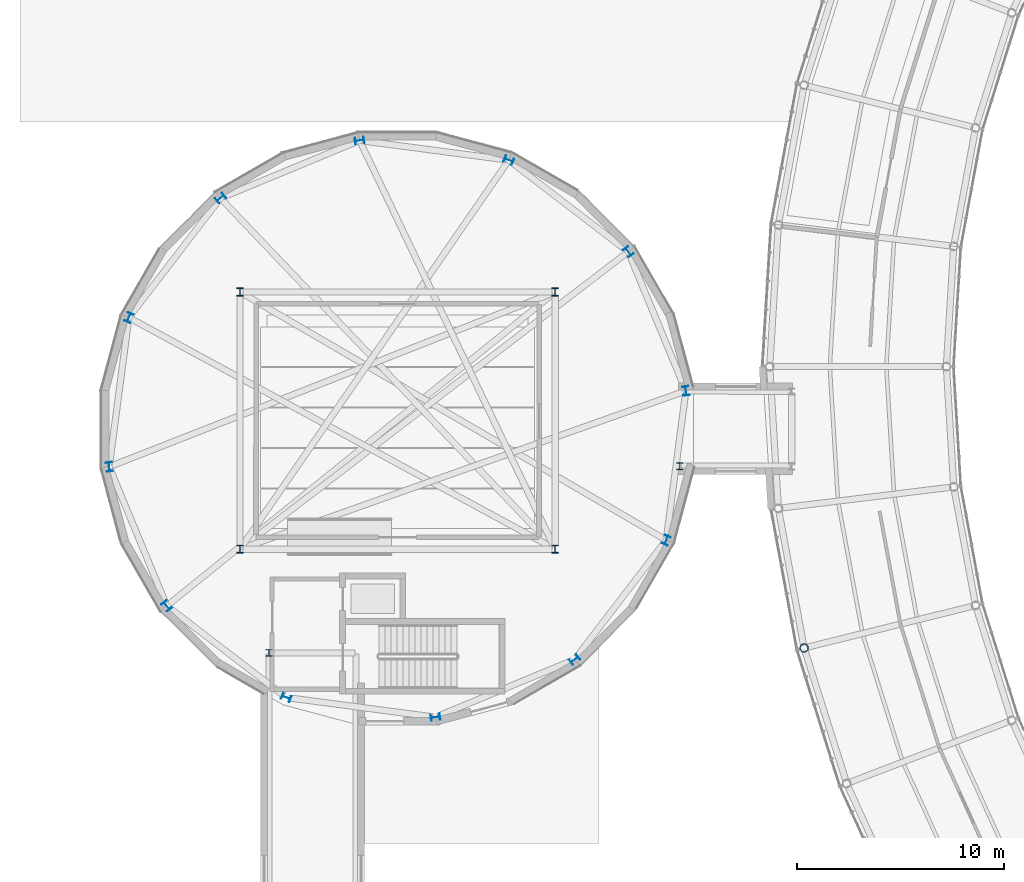
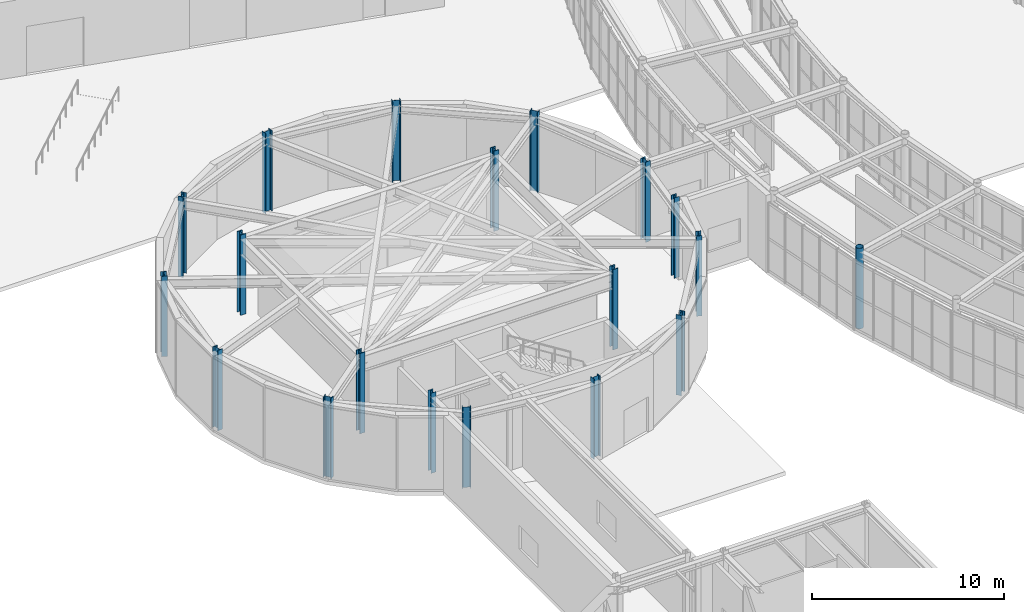
# One storey, part 3 of 97: 19 columns.
"""IFC4 building model written with IfcOpenShell, lengths in metres."""

from ifc_helpers import new_model, si_unit, direction, frame, origin, origin_2d, place, context, subcontext, project, spatial, hollow_circle, i_section, extrude, material, material_profile, profile_set, type_object, element, save


model = new_model("IFC4")

# Units and contexts
model_context = context("Model", 3, precision=1e-05, world=origin(), true_north=direction((0.0, 1.0)))
body_context = subcontext(model_context, "Body", "Model", "MODEL_VIEW")
ifc_project = project(units=[si_unit("LENGTHUNIT", "METRE"), si_unit("AREAUNIT", "SQUARE_METRE"), si_unit("VOLUMEUNIT", "CUBIC_METRE"), si_unit("PLANEANGLEUNIT", "RADIAN"), si_unit("MASSUNIT", "GRAM", prefix="KILO")], contexts=[model_context])

# Site, building, storey
site_placement = place(None, origin())
site = spatial("IfcSite", under=ifc_project, at=site_placement, CompositionType="ELEMENT")
building_placement = place(site_placement, origin())
building = spatial("IfcBuilding", under=site, at=building_placement, Name="Varnklinge Art Gallery", CompositionType="ELEMENT")
storey_placement = place(building_placement, origin())
storey = spatial("IfcBuildingStorey", under=building, at=storey_placement, Name="L00", CompositionType="ELEMENT", Elevation=0.0)

# Columns
ifc_material_1 = material(Name="Steel S355", Category="steel")
ifc_material_profile_1 = material_profile(ifc_material_1, i_section(OverallWidth=0.30810546875, OverallDepth=0.39501953125, WebThickness=0.02099609375, FlangeThickness=0.0400390625, FilletRadius=0.027099609375, at=origin_2d()), Name="HEM 360")
ifc_profile_set_1 = profile_set([ifc_material_profile_1], Name="Steel S355")
column_type_1 = type_object("IfcColumnType", Name="COL-03", PredefinedType="COLUMN", material=ifc_profile_set_1)
for number, where, z_axis, x_axis, name in (
    (1, (14.199951171875, 46.199951171875, 0.0), (0.0, 0.0, 1.0), (1.0, 0.0, 0.0), "L00 Column V3CI-1"),
    (2, (29.39990234375, 46.199951171875, 0.0), (0.0, 0.0, 1.0), (1.0, 0.0, 0.0), "L00 Column V3CI-2"),
    (3, (29.39990234375, 58.60009765625, 0.0), (0.0, 0.0, 1.0), (1.0, 0.0, 0.0), "L00 Column V3CI-3"),
    (4, (14.199951171875, 58.60009765625, 0.0), (0.0, 0.0, 1.0), (1.0, 0.0, 0.0), "L00 Column V3CI-4"),
):
    element("IfcColumn", number, at=place(storey_placement, frame(where, z_axis=z_axis, x_axis=x_axis)), inside=storey, type_object=column_type_1, Name=name, PredefinedType="COLUMN", context=body_context, shape_type="SweptSolid", body=[
        extrude(i_section(OverallWidth=0.30810546875, OverallDepth=0.39501953125, WebThickness=0.02099609375, FlangeThickness=0.0400390625, FilletRadius=0.027099609375, at=origin_2d()), origin(), (0.0, 0.0, 1.0), 5.10009765625),
    ])
ifc_material_2 = material(Name="Steel S355", Category="steel")
ifc_material_profile_2 = material_profile(ifc_material_2, i_section(OverallWidth=0.300048828125, OverallDepth=0.320068359375, WebThickness=0.011474609375, FlangeThickness=0.0205078125, FilletRadius=0.027099609375, at=origin_2d()), Name="HEB 320")
ifc_profile_set_2 = profile_set([ifc_material_profile_2], Name="Steel S355")
column_type_2 = type_object("IfcColumnType", Name="COL-09", PredefinedType="COLUMN", material=ifc_profile_set_2)
for number, where, z_axis, x_axis, name in (
    (5, (35.39990234375, 50.199951171875, 0.0), (0.0, 0.0, 1.0), (1.0, 0.0, 0.0), "L00 Column LNK-V3-C1"),
    (6, (15.60009765625, 41.199951171875, 0.0), (0.0, 0.0, 1.0), (1.0, 0.0, 0.0), "L00 Column LNK-SW-C4"),
):
    element("IfcColumn", number, at=place(storey_placement, frame(where, z_axis=z_axis, x_axis=x_axis)), inside=storey, type_object=column_type_2, Name=name, PredefinedType="COLUMN", context=body_context, shape_type="SweptSolid", body=[
        extrude(i_section(OverallWidth=0.300048828125, OverallDepth=0.320068359375, WebThickness=0.011474609375, FlangeThickness=0.0205078125, FilletRadius=0.027099609375, at=origin_2d()), origin(), (0.0, 0.0, 1.0), 5.10009765625),
    ])
ifc_material_3 = material(Name="Steel S355", Category="steel")
ifc_material_profile_3 = material_profile(ifc_material_3, i_section(OverallWidth=0.300048828125, OverallDepth=0.449951171875, WebThickness=0.013916015625, FlangeThickness=0.02587890625, FilletRadius=0.027099609375, at=origin_2d()), Name="HEB 450")
ifc_profile_set_3 = profile_set([ifc_material_profile_3], Name="Steel S355")
column_type_3 = type_object("IfcColumnType", Name="COL-E2", PredefinedType="COLUMN", material=ifc_profile_set_3)
for number, where, z_axis, x_axis, name in (
    (7, (35.7001953125, 53.830078125, 0.0), (0.0, 0.0, 1.0), (0.991444861374, 0.13052619222, 0.0), "L00 Column V3CP-01"),
    (8, (32.9228515625, 60.534912109375, 0.0), (0.0, 0.0, 1.0), (0.793353340291, 0.608761429009, 0.0), "L00 Column V3CP-02"),
    (9, (27.165283203125, 64.952880859375, 0.0), (0.0, 0.0, 1.0), (0.382683432365, 0.923879532511, 0.0), "L00 Column V3CP-03"),
    (10, (19.969970703125, 65.900146484375, 0.0), (0.0, 0.0, 1.0), (-0.13052619222, 0.991444861374, 0.0), "L00 Column V3CP-04"),
    (11, (13.26513671875, 63.122802734375, 0.0), (0.0, 0.0, 1.0), (-0.608761429009, 0.793353340291, 0.0), "L00 Column V3CP-05"),
    (12, (8.84716796875, 57.365234375, 0.0), (0.0, 0.0, 1.0), (-0.923879532511, 0.382683432365, 0.0), "L00 Column V3CP-06"),
    (13, (7.89990234375, 50.169921875, 0.0), (0.0, 0.0, 1.0), (-0.991444861374, -0.13052619222, 0.0), "L00 Column V3CP-07"),
    (14, (10.67724609375, 43.465087890625, 0.0), (0.0, 0.0, 1.0), (-0.793353340291, -0.608761429009, 0.0), "L00 Column V3CP-08"),
    (15, (16.434814453125, 39.047119140625, 0.0), (0.0, 0.0, 1.0), (-0.382683432365, -0.923879532511, 0.0), "L00 Column V3CP-09"),
    (16, (23.6298828125, 38.099853515625, 0.0), (0.0, 0.0, 1.0), (0.13052619222, -0.991444861374, 0.0), "L00 Column V3CP-10"),
    (17, (30.334716796875, 40.877197265625, 0.0), (0.0, 0.0, 1.0), (0.608761429009, -0.793353340291, 0.0), "L00 Column V3CP-11"),
    (18, (34.752685546875, 46.634765625, 0.0), (0.0, 0.0, 1.0), (0.923879532511, -0.382683432365, 0.0), "L00 Column V3CP-12"),
):
    element("IfcColumn", number, at=place(storey_placement, frame(where, z_axis=z_axis, x_axis=x_axis)), inside=storey, type_object=column_type_3, Name=name, PredefinedType="COLUMN", context=body_context, shape_type="SweptSolid", body=[
        extrude(i_section(OverallWidth=0.300048828125, OverallDepth=0.449951171875, WebThickness=0.013916015625, FlangeThickness=0.02587890625, FilletRadius=0.027099609375, at=origin_2d()), origin(), (0.0, 0.0, 1.0), 5.10009765625),
    ])
ifc_material_4 = material(Name="Steel S355", Category="steel")
ifc_material_profile_4 = material_profile(ifc_material_4, hollow_circle(Radius=0.203125, WallThickness=0.02001953125, at=origin_2d()), Name="CHS 406.4x20")
ifc_profile_set_4 = profile_set([ifc_material_profile_4], Name="Steel S355")
column_type_4 = type_object("IfcColumnType", Name="COL-E5", PredefinedType="COLUMN", material=ifc_profile_set_4)
column_placement = place(storey_placement, frame((41.401611328125, 41.43408203125, 0.0), z_axis=(0.0, 0.0, 1.0), x_axis=(0.970506473469, 0.241075060833, 0.0)))
element("IfcColumn", 19, at=column_placement, inside=storey, type_object=column_type_4, Name="L00 Column V2CO-29", PredefinedType="COLUMN", context=body_context, shape_type="SweptSolid", body=[
    extrude(hollow_circle(Radius=0.203125, WallThickness=0.02001953125, at=origin_2d()), origin(), (0.0, 0.0, 1.0), 5.10009765625),
])

save(model, "model.ifc")
